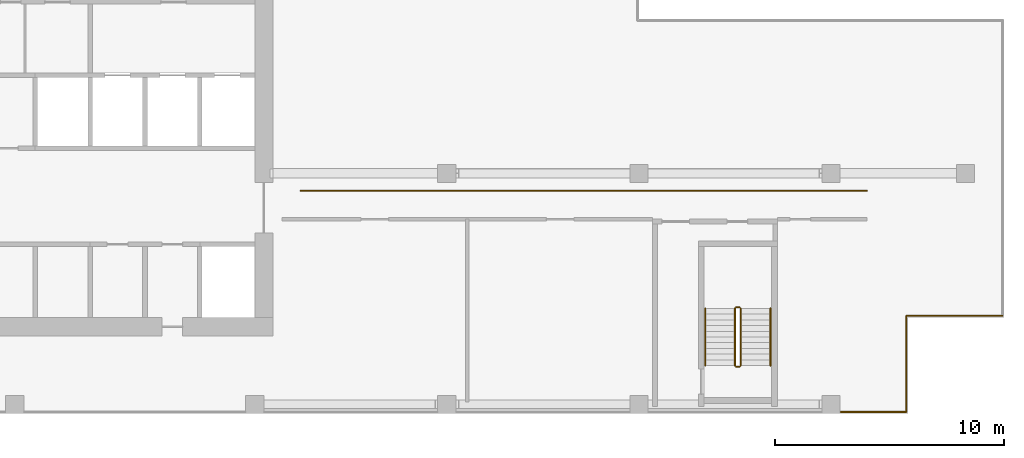
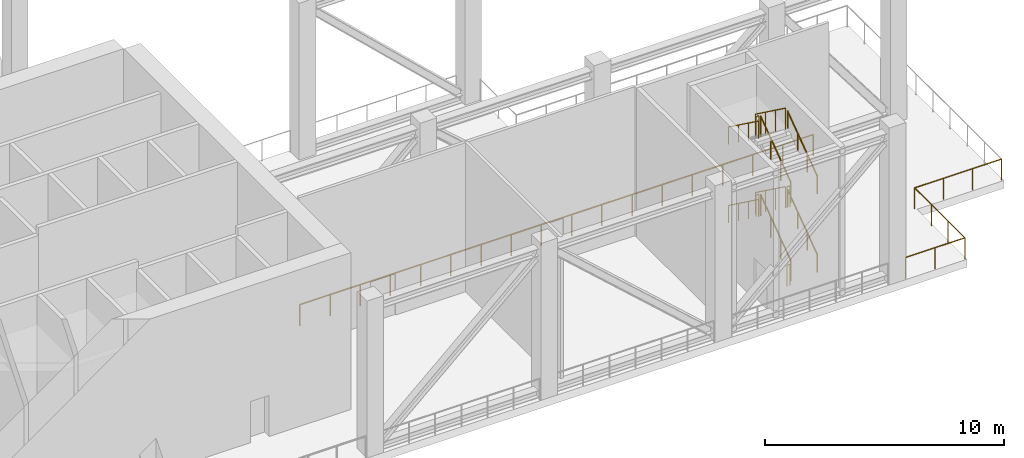
# One storey, part 7 of 9: 16 railings.
"""IFC4 building model written with IfcOpenShell, lengths in metres."""

from ifc_helpers import new_model, si_unit, direction, frame, origin, origin_2d, place, context, subcontext, project, spatial, circle, extrude, source, transform, mapped, material, type_object, element, save


model = new_model("IFC4")

# Units and contexts
model_context = context("Model", 3, precision=1e-05, world=origin(), true_north=direction((0.0, 1.0)))
body_context = subcontext(model_context, "Body", "Model", "MODEL_VIEW")
ifc_project = project(units=[si_unit("LENGTHUNIT", "METRE"), si_unit("AREAUNIT", "SQUARE_METRE"), si_unit("VOLUMEUNIT", "CUBIC_METRE"), si_unit("PLANEANGLEUNIT", "RADIAN"), si_unit("MASSUNIT", "GRAM", prefix="KILO")], contexts=[model_context])

# Site, building, storey
site_placement = place(None, origin())
site = spatial("IfcSite", under=ifc_project, at=site_placement, CompositionType="ELEMENT")
building_placement = place(site_placement, origin())
building = spatial("IfcBuilding", under=site, at=building_placement, Name="Aurelian Terraces", CompositionType="ELEMENT")
storey_placement = place(building_placement, frame((0.0, 0.0, 269.0)))
storey = spatial("IfcBuildingStorey", under=building, at=storey_placement, Name="L62", CompositionType="ELEMENT", Elevation=269.0)

# Railings
ifc_material_1 = material(Name="Anodised aluminium", Category="aluminium")
railing_type_1 = type_object("IfcRailingType", Name="GUARD-1100", PredefinedType="GUARDRAIL", material=ifc_material_1)
railing_1_placement = place(storey_placement, frame((49.49, 0.07, 0.0)))
element("IfcRailing", 1, at=railing_1_placement, inside=storey, type_object=railing_type_1, Name="Wind floor guard L62 3", PredefinedType="GUARDRAIL", context=body_context, shape_type="SweptSolid", body=[
    extrude(circle(Radius=0.024, at=origin_2d()), frame((0.0, 0.0, 1.076), z_axis=(-1.0, 0.0, 0.0), x_axis=(0.0, -1.0, 0.0)), (0.0, 0.0, 1.0), 2.87),
    extrude(circle(Radius=0.021, at=origin_2d()), origin(), (0.0, 0.0, 1.0), 1.052),
    extrude(circle(Radius=0.021, at=origin_2d()), frame((-1.435, 0.0, 0.0)), (0.0, 0.0, 1.0), 1.052),
    extrude(circle(Radius=0.021, at=origin_2d()), frame((-2.87, 0.0, 0.0)), (0.0, 0.0, 1.0), 1.052),
])
railing_2_placement = place(storey_placement, frame((23.0, 9.75, 0.0)))
element("IfcRailing", 2, at=railing_2_placement, inside=storey, type_object=railing_type_1, Name="Plant corridor guard L62 1", PredefinedType="GUARDRAIL", context=body_context, shape_type="SweptSolid", body=[
    extrude(circle(Radius=0.024, at=origin_2d()), frame((0.0, 0.0, 1.076), z_axis=(1.0, 0.0, 0.0), x_axis=(0.0, 1.0, 0.0)), (0.0, 0.0, 1.0), 24.76),
    extrude(circle(Radius=0.021, at=origin_2d()), origin(), (0.0, 0.0, 1.0), 1.052),
    extrude(circle(Radius=0.021, at=origin_2d()), frame((1.4565, 0.0, 0.0)), (0.0, 0.0, 1.0), 1.052),
    extrude(circle(Radius=0.021, at=origin_2d()), frame((2.9129, 0.0, 0.0)), (0.0, 0.0, 1.0), 1.052),
    extrude(circle(Radius=0.021, at=origin_2d()), frame((4.3694, 0.0, 0.0)), (0.0, 0.0, 1.0), 1.052),
    extrude(circle(Radius=0.021, at=origin_2d()), frame((5.8259, 0.0, 0.0)), (0.0, 0.0, 1.0), 1.052),
    extrude(circle(Radius=0.021, at=origin_2d()), frame((7.2824, 0.0, 0.0)), (0.0, 0.0, 1.0), 1.052),
    extrude(circle(Radius=0.021, at=origin_2d()), frame((8.7388, 0.0, 0.0)), (0.0, 0.0, 1.0), 1.052),
    extrude(circle(Radius=0.021, at=origin_2d()), frame((10.1953, 0.0, 0.0)), (0.0, 0.0, 1.0), 1.052),
    extrude(circle(Radius=0.021, at=origin_2d()), frame((11.6518, 0.0, 0.0)), (0.0, 0.0, 1.0), 1.052),
    extrude(circle(Radius=0.021, at=origin_2d()), frame((13.1082, 0.0, 0.0)), (0.0, 0.0, 1.0), 1.052),
    extrude(circle(Radius=0.021, at=origin_2d()), frame((14.5647, 0.0, 0.0)), (0.0, 0.0, 1.0), 1.052),
    extrude(circle(Radius=0.021, at=origin_2d()), frame((16.0212, 0.0, 0.0)), (0.0, 0.0, 1.0), 1.052),
    extrude(circle(Radius=0.021, at=origin_2d()), frame((17.4776, 0.0, 0.0)), (0.0, 0.0, 1.0), 1.052),
    extrude(circle(Radius=0.021, at=origin_2d()), frame((18.9341, 0.0, 0.0)), (0.0, 0.0, 1.0), 1.052),
    extrude(circle(Radius=0.021, at=origin_2d()), frame((20.3906, 0.0, 0.0)), (0.0, 0.0, 1.0), 1.052),
    extrude(circle(Radius=0.021, at=origin_2d()), frame((21.8471, 0.0, 0.0)), (0.0, 0.0, 1.0), 1.052),
    extrude(circle(Radius=0.021, at=origin_2d()), frame((23.3035, 0.0, 0.0)), (0.0, 0.0, 1.0), 1.052),
    extrude(circle(Radius=0.021, at=origin_2d()), frame((24.76, 0.0, 0.0)), (0.0, 0.0, 1.0), 1.052),
])
shared_shape_1 = source(origin(), body_context, "Body", "SweptSolid", [
    extrude(circle(Radius=0.024, at=origin_2d()), frame((0.0, 0.0, 1.076), z_axis=(-1.0, 0.0, 0.0), x_axis=(0.0, -1.0, 0.0)), (0.0, 0.0, 1.0), 4.2),
    extrude(circle(Radius=0.021, at=origin_2d()), origin(), (0.0, 0.0, 1.0), 1.052),
    extrude(circle(Radius=0.021, at=origin_2d()), frame((-1.4, 0.0, 0.0)), (0.0, 0.0, 1.0), 1.052),
    extrude(circle(Radius=0.021, at=origin_2d()), frame((-2.8, 0.0, 0.0)), (0.0, 0.0, 1.0), 1.052),
    extrude(circle(Radius=0.021, at=origin_2d()), frame((-4.2, 0.0, 0.0)), (0.0, 0.0, 1.0), 1.052),
])
railing_3_placement = place(storey_placement, frame((53.69, 4.27, 0.0)))
element("IfcRailing", 3, at=railing_3_placement, inside=storey, type_object=railing_type_1, Name="Wind floor guard L62 1", PredefinedType="GUARDRAIL", context=body_context, shape_type="MappedRepresentation", body=[
    mapped(shared_shape_1, transform((0.0, 0.0, 0.0), scale=1.0)),
])
shared_shape_2 = source(origin(), body_context, "Body", "SweptSolid", [
    extrude(circle(Radius=0.024, at=origin_2d()), frame((0.0, 0.0, 1.076), z_axis=(0.0, -1.0, 0.0), x_axis=(1.0, 0.0, 0.0)), (0.0, 0.0, 1.0), 4.2),
    extrude(circle(Radius=0.021, at=origin_2d()), origin(), (0.0, 0.0, 1.0), 1.052),
    extrude(circle(Radius=0.021, at=origin_2d()), frame((0.0, -1.4, 0.0)), (0.0, 0.0, 1.0), 1.052),
    extrude(circle(Radius=0.021, at=origin_2d()), frame((0.0, -2.8, 0.0)), (0.0, 0.0, 1.0), 1.052),
    extrude(circle(Radius=0.021, at=origin_2d()), frame((0.0, -4.2, 0.0)), (0.0, 0.0, 1.0), 1.052),
])
railing_4_placement = place(storey_placement, frame((49.49, 4.27, 0.0)))
element("IfcRailing", 4, at=railing_4_placement, inside=storey, type_object=railing_type_1, Name="Wind floor guard L62 2", PredefinedType="GUARDRAIL", context=body_context, shape_type="MappedRepresentation", body=[
    mapped(shared_shape_2, transform((0.0, 0.0, 0.0), scale=1.0)),
])
ifc_material_2 = material(Name="Stainless steel", Category="steel")
railing_type_2 = type_object("IfcRailingType", Name="Stair guard 1100", PredefinedType="GUARDRAIL", material=ifc_material_2)
shared_shape_3 = source(origin(), body_context, "Body", "SweptSolid", [
    extrude(circle(Radius=0.024, at=origin_2d()), frame((0.0, 0.0, 1.076), z_axis=(-1.0, 0.0, 0.0), x_axis=(0.0, -1.0, 0.0)), (0.0, 0.0, 1.0), 0.15),
    extrude(circle(Radius=0.021, at=origin_2d()), origin(), (0.0, 0.0, 1.0), 1.052),
    extrude(circle(Radius=0.021, at=origin_2d()), frame((-0.15, 0.0, 0.0)), (0.0, 0.0, 1.0), 1.052),
])
for number, where, name in (
    (5, (42.2, 4.65, 2.0), "L62 S2 stair guard 2"),
    (6, (42.2, 2.05, 4.0), "L62 S2 stair guard 4"),
    (7, (42.2, 4.65, 6.0), "L62 S2 stair guard 6"),
    (8, (42.2, 2.05, 0.0), "L62 S2 stair guard 8"),
):
    element("IfcRailing", number, at=place(storey_placement, frame(where)), inside=storey, type_object=railing_type_2, Name=name, PredefinedType="GUARDRAIL", context=body_context, shape_type="MappedRepresentation", body=[
        mapped(shared_shape_3, transform((0.0, 0.0, 0.0), scale=1.0)),
    ])
shared_shape_4 = source(origin(), body_context, "Body", "SweptSolid", [
    extrude(circle(Radius=0.024, at=origin_2d()), frame((0.0, 0.0, 1.076), z_axis=(0.0, 0.808733286514, 0.588175544616), x_axis=(-1.0, 0.0, 0.0)), (0.0, 0.0, 1.0), 3.0913),
    extrude(circle(Radius=0.021, at=origin_2d()), origin(), (0.0, 0.0, 1.0), 1.052),
    extrude(circle(Radius=0.021, at=origin_2d()), frame((0.0, 0.8333, 0.6061)), (0.0, 0.0, 1.0), 1.052),
    extrude(circle(Radius=0.021, at=origin_2d()), frame((0.0, 1.6667, 1.2121)), (0.0, 0.0, 1.0), 1.052),
    extrude(circle(Radius=0.021, at=origin_2d()), frame((0.0, 2.5, 1.8182)), (0.0, 0.0, 1.0), 1.052),
])
for number, where, name in (
    (9, (42.25, 2.1, 0.1818), "L62 S2 stair guard 1"),
    (10, (42.25, 2.1, 4.1818), "L62 S2 stair guard 5"),
):
    element("IfcRailing", number, at=place(storey_placement, frame(where)), inside=storey, type_object=railing_type_2, Name=name, PredefinedType="GUARDRAIL", context=body_context, shape_type="MappedRepresentation", body=[
        mapped(shared_shape_4, transform((0.0, 0.0, 0.0), scale=1.0)),
    ])
shared_shape_5 = source(origin(), body_context, "Body", "SweptSolid", [
    extrude(circle(Radius=0.024, at=origin_2d()), frame((0.0, 0.0, 1.076), z_axis=(0.0, -0.808733286514, 0.588175544616), x_axis=(1.0, 0.0, 0.0)), (0.0, 0.0, 1.0), 3.0913),
    extrude(circle(Radius=0.021, at=origin_2d()), origin(), (0.0, 0.0, 1.0), 1.052),
    extrude(circle(Radius=0.021, at=origin_2d()), frame((0.0, -0.8333, 0.6061)), (0.0, 0.0, 1.0), 1.052),
    extrude(circle(Radius=0.021, at=origin_2d()), frame((0.0, -1.6667, 1.2121)), (0.0, 0.0, 1.0), 1.052),
    extrude(circle(Radius=0.021, at=origin_2d()), frame((0.0, -2.5, 1.8182)), (0.0, 0.0, 1.0), 1.052),
])
for number, where, name in (
    (11, (42.0, 4.6, 2.1818), "L62 S2 stair guard 3"),
    (12, (42.0, 4.6, 6.1818), "L62 S2 stair guard 7"),
):
    element("IfcRailing", number, at=place(storey_placement, frame(where)), inside=storey, type_object=railing_type_2, Name=name, PredefinedType="GUARDRAIL", context=body_context, shape_type="MappedRepresentation", body=[
        mapped(shared_shape_5, transform((0.0, 0.0, 0.0), scale=1.0)),
    ])
railing_type_3 = type_object("IfcRailingType", Name="Stair handrail", PredefinedType="HANDRAIL", material=ifc_material_2)
shared_shape_6 = source(origin(), body_context, "Body", "SweptSolid", [
    extrude(circle(Radius=0.024, at=origin_2d()), frame((0.0, 0.0, 0.876), z_axis=(0.0, 0.808733286514, 0.588175544616), x_axis=(-1.0, 0.0, 0.0)), (0.0, 0.0, 1.0), 3.0913),
    extrude(circle(Radius=0.021, at=origin_2d()), origin(), (0.0, 0.0, 1.0), 0.852),
    extrude(circle(Radius=0.021, at=origin_2d()), frame((0.0, 0.8333, 0.6061)), (0.0, 0.0, 1.0), 0.852),
    extrude(circle(Radius=0.021, at=origin_2d()), frame((0.0, 1.6667, 1.2121)), (0.0, 0.0, 1.0), 0.852),
    extrude(circle(Radius=0.021, at=origin_2d()), frame((0.0, 2.5, 1.8182)), (0.0, 0.0, 1.0), 0.852),
])
for number, where, name in (
    (13, (43.55, 2.1, 0.1818), "L62 S2 stair handrail 1"),
    (14, (43.55, 2.1, 4.1818), "L62 S2 stair handrail 3"),
):
    element("IfcRailing", number, at=place(storey_placement, frame(where)), inside=storey, type_object=railing_type_3, Name=name, PredefinedType="HANDRAIL", context=body_context, shape_type="MappedRepresentation", body=[
        mapped(shared_shape_6, transform((0.0, 0.0, 0.0), scale=1.0)),
    ])
shared_shape_7 = source(origin(), body_context, "Body", "SweptSolid", [
    extrude(circle(Radius=0.024, at=origin_2d()), frame((0.0, 0.0, 0.876), z_axis=(0.0, -0.808733286514, 0.588175544616), x_axis=(1.0, 0.0, 0.0)), (0.0, 0.0, 1.0), 3.0913),
    extrude(circle(Radius=0.021, at=origin_2d()), origin(), (0.0, 0.0, 1.0), 0.852),
    extrude(circle(Radius=0.021, at=origin_2d()), frame((0.0, -0.8333, 0.6061)), (0.0, 0.0, 1.0), 0.852),
    extrude(circle(Radius=0.021, at=origin_2d()), frame((0.0, -1.6667, 1.2121)), (0.0, 0.0, 1.0), 0.852),
    extrude(circle(Radius=0.021, at=origin_2d()), frame((0.0, -2.5, 1.8182)), (0.0, 0.0, 1.0), 0.852),
])
for number, where, name in (
    (15, (40.7, 4.6, 2.1818), "L62 S2 stair handrail 2"),
    (16, (40.7, 4.6, 6.1818), "L62 S2 stair handrail 4"),
):
    element("IfcRailing", number, at=place(storey_placement, frame(where)), inside=storey, type_object=railing_type_3, Name=name, PredefinedType="HANDRAIL", context=body_context, shape_type="MappedRepresentation", body=[
        mapped(shared_shape_7, transform((0.0, 0.0, 0.0), scale=1.0)),
    ])

save(model, "model.ifc")
